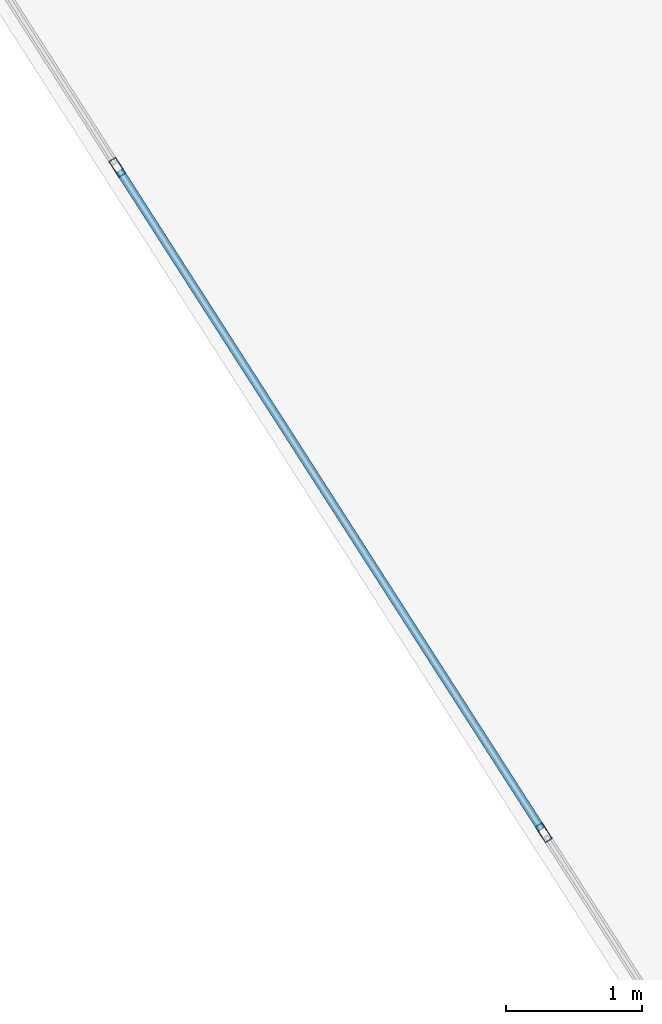
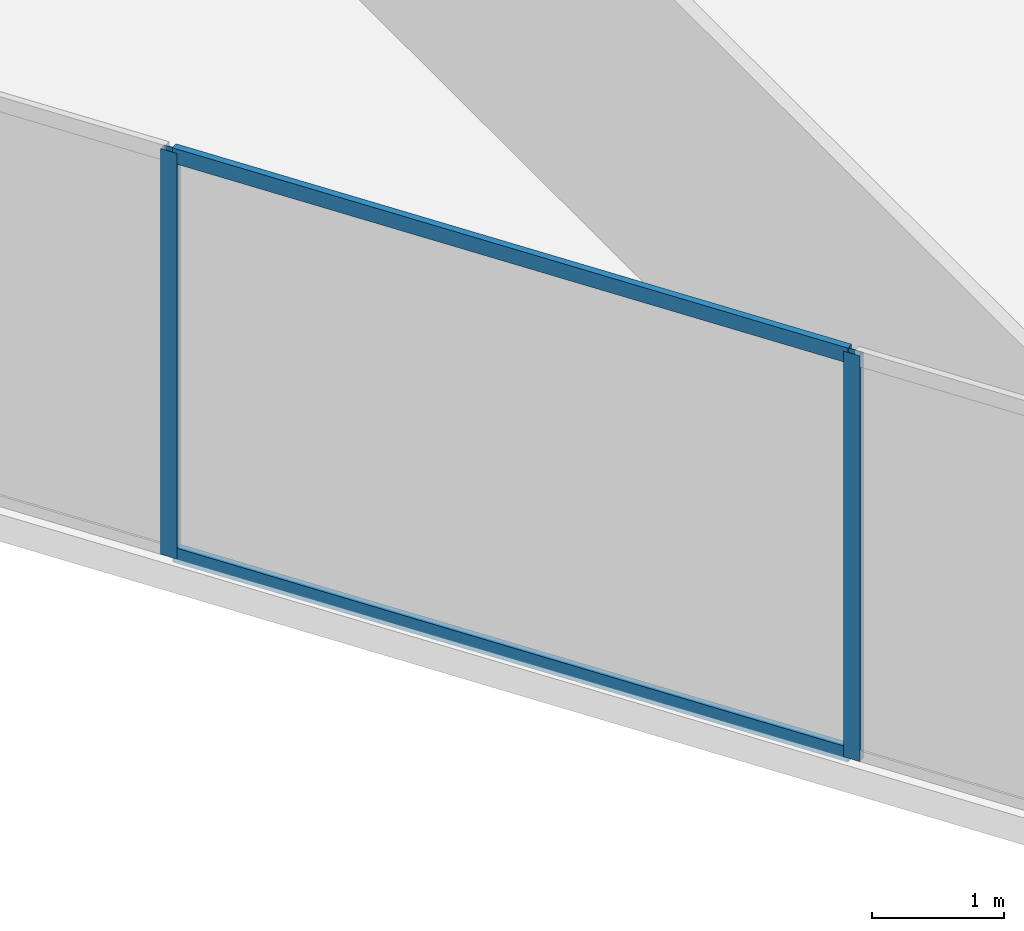
# One storey, part 17 of 26: 4 members, 1 element without a shape of its own.
"""IFC4 building model written with IfcOpenShell, lengths in metres."""

import ifcopenshell
import ifcopenshell.guid

model = None  # the IFC model being written
_history = None  # IfcOwnerHistory: only IFC2X3 demands one
_inside = {}  # id of a spatial element -> (the spatial element, [elements in it])
_under = {}  # id of a project, library or spatial element -> (it, [spatial elements below it])
_declared = {}  # id of a project -> (the project, [libraries it declares])
_typed = {}  # id of a type object -> (the type object, [elements of that type])
_made_of = {}  # id of a material, layer set ... -> (it, [elements and type objects made of it])


def new_model(schema):
    """Start an empty IFC model of exactly this schema.

    Asked for "IFC4X3", IfcOpenShell would pick the latest addendum, in which some entities
    have other attributes; the version numbers below select the first issue.
    IFC2X3 requires an IfcOwnerHistory on every rooted entity: one is made here for all.
    """
    global model, _history
    if schema == "IFC4X3":
        model = ifcopenshell.file(schema_version=(4, 3, 0, 0))
    else:
        model = ifcopenshell.file(schema=schema)
    _inside.clear()
    _under.clear()
    _declared.clear()
    _typed.clear()
    _made_of.clear()
    _history = None
    if model.schema == "IFC2X3":
        org = make("IfcOrganization", Name="unknown")
        user = make(
            "IfcPersonAndOrganization",
            ThePerson=make("IfcPerson", FamilyName="unknown"),
            TheOrganization=org,
        )
        app = make(
            "IfcApplication",
            ApplicationDeveloper=org,
            Version="unknown",
            ApplicationFullName="unknown",
            ApplicationIdentifier="unknown",
        )
        _history = make(
            "IfcOwnerHistory",
            OwningUser=user,
            OwningApplication=app,
            ChangeAction="ADDED",
            CreationDate=0,
        )
    return model


def make(cls, **values):
    """One entity of the class cls with the attributes given. An attribute that is None is left unset."""
    return model.create_entity(
        cls, **{name: value for name, value in values.items() if value is not None}
    )


def rooted(cls, **values):
    """An entity with a GlobalId (a new one), such as an element, a storey or a relation."""
    return make(cls, GlobalId=ifcopenshell.guid.new(), OwnerHistory=_history, **values)


def si_unit(unit_type, name, prefix=None):
    """IfcSIUnit, for example si_unit("LENGTHUNIT", "METRE", prefix="MILLI")."""
    return make("IfcSIUnit", UnitType=unit_type, Prefix=prefix, Name=name)


def assignment(units):
    """IfcUnitAssignment: the units of a project."""
    return None if units is None else make("IfcUnitAssignment", Units=units)


def point(xyz):
    """IfcCartesianPoint."""
    return None if xyz is None else make("IfcCartesianPoint", Coordinates=xyz)


def direction(xyz):
    """IfcDirection."""
    return None if xyz is None else make("IfcDirection", DirectionRatios=xyz)


def frame(location, z_axis=None, x_axis=None):
    """IfcAxis2Placement3D, a coordinate frame: its origin and axes. An axis left out is left unset."""
    return make(
        "IfcAxis2Placement3D",
        Location=point(location),
        Axis=direction(z_axis),
        RefDirection=direction(x_axis),
    )


def frame_2d(location, x_axis=None):
    """IfcAxis2Placement2D, a coordinate frame in the plane: its origin and x axis."""
    return make(
        "IfcAxis2Placement2D", Location=point(location), RefDirection=direction(x_axis)
    )


def origin():
    """The frame at (0, 0, 0) with its axes left unset."""
    return frame((0.0, 0.0, 0.0))


def origin_2d():
    """The frame at (0, 0) in the plane with its x axis left unset."""
    return frame_2d((0.0, 0.0))


def place(relative_to, where):
    """IfcLocalPlacement: puts the frame where relative to a parent placement (None: the world)."""
    return make(
        "IfcLocalPlacement", PlacementRelTo=relative_to, RelativePlacement=where
    )


def context(
    kind, dimensions, precision=None, world=None, true_north=None, identifier=None
):
    """IfcGeometricRepresentationContext, for example the 3D "Model" context."""
    return make(
        "IfcGeometricRepresentationContext",
        ContextIdentifier=identifier,
        ContextType=kind,
        CoordinateSpaceDimension=dimensions,
        Precision=precision,
        WorldCoordinateSystem=world,
        TrueNorth=true_north,
    )


def subcontext(parent, identifier, kind, view, scale=None):
    """IfcGeometricRepresentationSubContext, for example "Body" below "Model"."""
    return make(
        "IfcGeometricRepresentationSubContext",
        ContextIdentifier=identifier,
        ContextType=kind,
        ParentContext=parent,
        TargetScale=scale,
        TargetView=view,
    )


def project(units=None, contexts=None):
    """IfcProject with its units and contexts."""
    return rooted(
        "IfcProject",
        Name="project",
        RepresentationContexts=contexts,
        UnitsInContext=assignment(units),
    )


def spatial(cls, under=None, at=None, **own):
    """A site, building, storey or space (cls), placed at a placement, below another one or the project."""
    s = rooted(cls, ObjectPlacement=at, **own)
    if under is not None:
        _under.setdefault(under.id(), (under, []))[1].append(s)
    return s


def profile(cls, at=None, kind="AREA", **sizes):
    """A parametric profile (cls). Its sizes go by their IFC names, for example OverallWidth=200.0."""
    return make(cls, ProfileType=kind, Position=at, **sizes)


def hollow_rectangle(**sizes):
    """IfcRectangleHollowProfileDef."""
    return profile("IfcRectangleHollowProfileDef", **sizes)


def extrude(swept, where, along, depth):
    """IfcExtrudedAreaSolid: the profile swept, set in the frame where, extruded along a direction by depth."""
    return make(
        "IfcExtrudedAreaSolid",
        SweptArea=swept,
        Position=where,
        ExtrudedDirection=direction(along),
        Depth=depth,
    )


def shape(context_of_items, identifier, shape_type, items):
    """IfcShapeRepresentation: the items that make up one representation, for example the "Body"."""
    return make(
        "IfcShapeRepresentation",
        ContextOfItems=context_of_items,
        RepresentationIdentifier=identifier,
        RepresentationType=shape_type,
        Items=items,
    )


def material(Name=None, Category=None):
    """IfcMaterial."""
    return make("IfcMaterial", Name=Name, Category=Category)


def layer(
    of_material, thickness, ventilated=None, Name=None, Category=None, Priority=None
):
    """IfcMaterialLayer: one layer of a wall or slab, of a material (None: an air gap)."""
    return make(
        "IfcMaterialLayer",
        Material=of_material,
        LayerThickness=thickness,
        IsVentilated=ventilated,
        Name=Name,
        Category=Category,
        Priority=Priority,
    )


def layer_set(layers, Name=None):
    """IfcMaterialLayerSet."""
    return make("IfcMaterialLayerSet", MaterialLayers=layers, LayerSetName=Name)


def material_profile(
    of_material, cross_section, Name=None, Category=None, Priority=None
):
    """IfcMaterialProfile: a cross section and its material."""
    return make(
        "IfcMaterialProfile",
        Name=Name,
        Material=of_material,
        Profile=cross_section,
        Priority=Priority,
        Category=Category,
    )


def profile_set(profiles, Name=None, composite=None):
    """IfcMaterialProfileSet."""
    return make(
        "IfcMaterialProfileSet",
        Name=Name,
        MaterialProfiles=profiles,
        CompositeProfile=composite,
    )


def made_of(thing, what):
    """Note that an element or type object is made of a material, layer set ...; save() writes the relation."""
    if what is not None:
        _made_of.setdefault(what.id(), (what, []))[1].append(thing)
    return thing


def type_object(cls, material=None, **own):
    """A type object (cls), such as IfcWallType, which elements share."""
    return made_of(rooted(cls, **own), material)


def element(
    cls,
    number,
    at=None,
    inside=None,
    cuts=None,
    type_object=None,
    material=None,
    context=None,
    identifier="Body",
    shape_type=None,
    held_by="IfcProductDefinitionShape",
    body=None,
    shapes=None,
    **own,
):
    """One element of the class cls, such as IfcWall. Its Tag is "e" and its number.

    at: its placement. inside: the storey or other place that contains it. cuts: it is an
    opening in that element (IfcRelVoidsElement). A single representation is given by context,
    identifier, shape_type and body (its items); several are given by shapes. held_by: the class
    of the entity that holds the representations. save() writes the other relations.
    """
    e = rooted(cls, Tag="e%d" % number, ObjectPlacement=at, **own)
    if body is not None:
        shapes = [shape(context, identifier, shape_type, body)]
    if shapes is not None:
        e.Representation = make(held_by, Representations=shapes)
    if inside is not None:
        _inside.setdefault(inside.id(), (inside, []))[1].append(e)
    if cuts is not None:
        rooted(
            "IfcRelVoidsElement", RelatingBuildingElement=cuts, RelatedOpeningElement=e
        )
    if type_object is not None:
        _typed.setdefault(type_object.id(), (type_object, []))[1].append(e)
    return made_of(e, material)


def aggregate(whole, parts):
    """IfcRelAggregates: a whole, such as a stair, and the parts it consists of."""
    return rooted("IfcRelAggregates", RelatingObject=whole, RelatedObjects=parts)


def save(model, path):
    """Write the relations noted so far, then the file.

    IfcRelAggregates (storeys below a building ...), IfcRelContainedInSpatialStructure (elements
    in a storey), IfcRelDefinesByType, IfcRelAssociatesMaterial and IfcRelDeclares: one each for
    every whole, place, type object, material and project.
    """
    for whole, parts in _under.values():
        aggregate(whole, parts)
    for where, things in _inside.values():
        rooted(
            "IfcRelContainedInSpatialStructure",
            RelatedElements=things,
            RelatingStructure=where,
        )
    for kind, things in _typed.values():
        rooted("IfcRelDefinesByType", RelatedObjects=things, RelatingType=kind)
    for what, things in _made_of.values():
        rooted("IfcRelAssociatesMaterial", RelatedObjects=things, RelatingMaterial=what)
    for by, libraries in _declared.values():
        rooted("IfcRelDeclares", RelatingContext=by, RelatedDefinitions=libraries)
    model.write(path)


model = new_model("IFC4")

# Units and contexts
model_context = context("Model", 3, precision=1e-05, world=origin(), true_north=direction((0.0, 1.0)))
body_context = subcontext(model_context, "Body", "Model", "MODEL_VIEW")
ifc_project = project(units=[si_unit("LENGTHUNIT", "METRE"), si_unit("AREAUNIT", "SQUARE_METRE"), si_unit("VOLUMEUNIT", "CUBIC_METRE"), si_unit("PLANEANGLEUNIT", "RADIAN"), si_unit("MASSUNIT", "GRAM", prefix="KILO")], contexts=[model_context])

# Site, building, storey
site_placement = place(None, origin())
site = spatial("IfcSite", under=ifc_project, at=site_placement, CompositionType="ELEMENT")
building_placement = place(site_placement, origin())
building = spatial("IfcBuilding", under=site, at=building_placement, Name="Kravanh Interchange Tower", CompositionType="ELEMENT")
storey_placement = place(building_placement, frame((0.0, 0.0, 128.0)))
storey = spatial("IfcBuildingStorey", under=building, at=storey_placement, Name="L30", CompositionType="ELEMENT", Elevation=128.0)

# Curtain wall, members
ifc_material_1 = material(Name="Anodised Bronze Aluminium", Category="aluminium")
ifc_layer = layer(ifc_material_1, 0.179931640625)
ifc_layer_set = layer_set([ifc_layer], Name="Unitised Curtain Wall System CW-Z2 Mid Office")
curtain_wall_type = type_object("IfcCurtainWallType", Name="Unitised Curtain Wall System CW-Z2 Mid Office", PredefinedType="NOTDEFINED", material=ifc_layer_set)
curtain_wall_placement = place(storey_placement, origin())
curtain_wall = element("IfcCurtainWall", 1, at=curtain_wall_placement, inside=storey, type_object=curtain_wall_type, Name="L30 Unitised Curtain Wall CW-L30-04", PredefinedType="NOTDEFINED")
ifc_material_2 = material(Name="Anodised Bronze Aluminium", Category="aluminium")
ifc_material_profile_1 = material_profile(ifc_material_2, hollow_rectangle(XDim=0.06005859375, YDim=0.139892578125, WallThickness=0.00390625, at=origin_2d()), Name="ALU60X140X4")
ifc_profile_set_1 = profile_set([ifc_material_profile_1], Name="Anodised Bronze Aluminium")
member_type_1 = type_object("IfcMemberType", Name="Curtain Wall Mullion ALU60X140X4 Bronze", PredefinedType="MULLION", material=ifc_profile_set_1)
member_1_placement = place(storey_placement, frame((45.8828125, 16.12109375, 0.0), z_axis=(0.0, 0.0, 1.0), x_axis=(-0.841879939476, -0.539664865919, 0.0)))
member_1 = element("IfcMember", 2, at=member_1_placement, type_object=member_type_1, Name="CW-Z2 mullion 3", PredefinedType="MULLION", context=body_context, shape_type="SweptSolid", body=[
    extrude(hollow_rectangle(XDim=0.06005859375, YDim=0.139892578125, WallThickness=0.00390625, at=origin_2d()), origin(), (0.0, 0.0, 1.0), 3.75),
])
member_2_placement = place(storey_placement, frame((42.741455078125, 21.021728515625, 0.0), z_axis=(0.0, 0.0, 1.0), x_axis=(-0.841879939476, -0.539664865919, 0.0)))
member_2 = element("IfcMember", 3, at=member_2_placement, type_object=member_type_1, Name="CW-Z2 mullion 4", PredefinedType="MULLION", context=body_context, shape_type="SweptSolid", body=[
    extrude(hollow_rectangle(XDim=0.06005859375, YDim=0.139892578125, WallThickness=0.00390625, at=origin_2d()), origin(), (0.0, 0.0, 1.0), 3.75),
])
ifc_material_3 = material(Name="Anodised Bronze Aluminium", Category="aluminium")
ifc_material_profile_2 = material_profile(ifc_material_3, hollow_rectangle(XDim=0.06005859375, YDim=0.139892578125, WallThickness=0.00390625, at=origin_2d()), Name="ALU60X140X4")
ifc_profile_set_2 = profile_set([ifc_material_profile_2], Name="Anodised Bronze Aluminium")
member_type_2 = type_object("IfcMemberType", Name="Curtain Wall Transom ALU60X140X4 Bronze", PredefinedType="USERDEFINED", material=ifc_profile_set_2)
member_3_placement = place(storey_placement, frame((45.86669921875, 16.146484375, 0.030029296875), z_axis=(-0.539677666788, 0.84187173368, 0.0), x_axis=(-0.84187173368, -0.539677666788, 0.0)))
member_3 = element("IfcMember", 4, at=member_3_placement, type_object=member_type_2, Name="CW-Z2 transom 3.1", ObjectType="TRANSOM", PredefinedType="USERDEFINED", context=body_context, shape_type="SweptSolid", body=[
    extrude(hollow_rectangle(XDim=0.06005859375, YDim=0.139892578125, WallThickness=0.00390625, at=origin_2d()), origin(), (0.0, 0.0, 1.0), 5.760986328125),
])
member_4_placement = place(storey_placement, frame((45.86669921875, 16.146484375, 3.719970703125), z_axis=(-0.539677666788, 0.84187173368, 0.0), x_axis=(-0.84187173368, -0.539677666788, 0.0)))
member_4 = element("IfcMember", 5, at=member_4_placement, type_object=member_type_2, Name="CW-Z2 transom 3.2", ObjectType="TRANSOM", PredefinedType="USERDEFINED", context=body_context, shape_type="SweptSolid", body=[
    extrude(hollow_rectangle(XDim=0.06005859375, YDim=0.139892578125, WallThickness=0.00390625, at=origin_2d()), origin(), (0.0, 0.0, 1.0), 5.760986328125),
])
aggregate(curtain_wall, [member_1, member_2, member_3, member_4])

save(model, "model.ifc")
